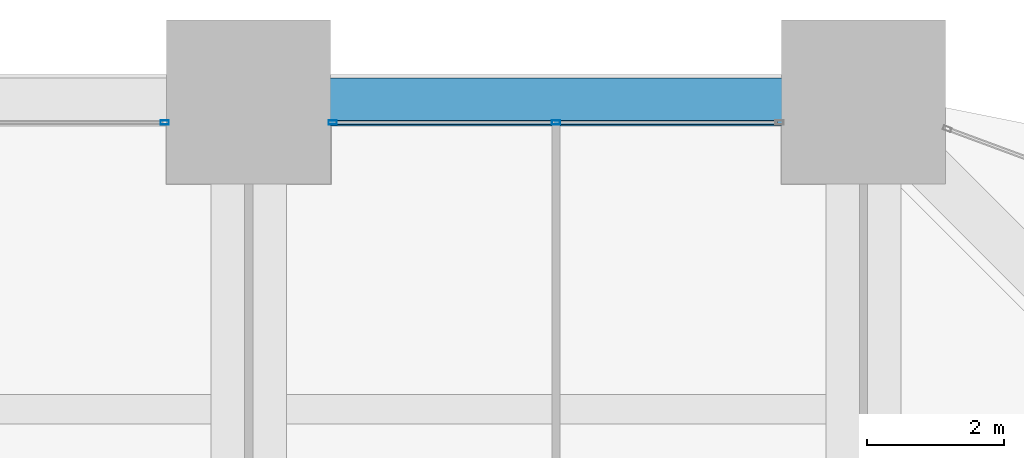
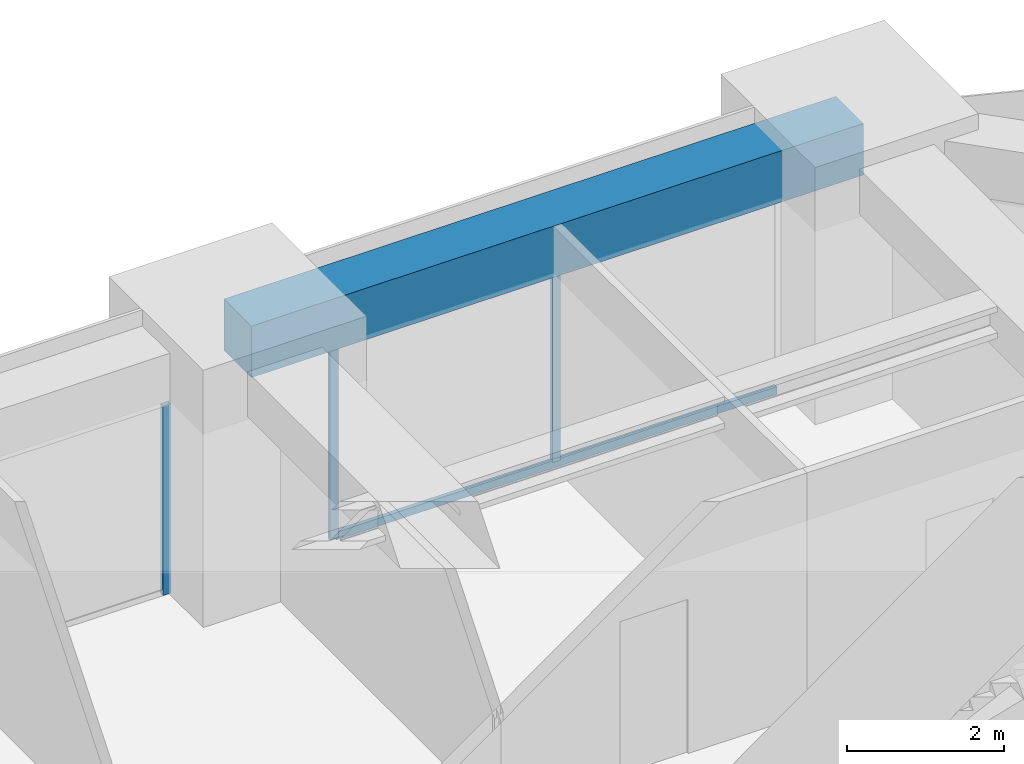
# One storey, part 36 of 45: 4 members, 1 beam, 2 elements without a shape of their own.
"""IFC4 building model written with IfcOpenShell, lengths in metres."""

from ifc_helpers import new_model, si_unit, direction, frame, origin, origin_2d, place, context, subcontext, project, spatial, rectangle, hollow_rectangle, extrude, material, material_profile, profile_set, type_object, element, aggregate, save


model = new_model("IFC4")

# Units and contexts
model_context = context("Model", 3, precision=1e-05, world=origin(), true_north=direction((0.0, 1.0)))
body_context = subcontext(model_context, "Body", "Model", "MODEL_VIEW")
ifc_project = project(units=[si_unit("LENGTHUNIT", "METRE"), si_unit("AREAUNIT", "SQUARE_METRE"), si_unit("VOLUMEUNIT", "CUBIC_METRE"), si_unit("PLANEANGLEUNIT", "RADIAN"), si_unit("MASSUNIT", "GRAM", prefix="KILO")], contexts=[model_context])

# Site, building, storey
site_placement = place(None, origin())
site = spatial("IfcSite", under=ifc_project, at=site_placement, CompositionType="ELEMENT")
building_placement = place(site_placement, origin())
building = spatial("IfcBuilding", under=site, at=building_placement, Name="Zorevar Civic Tower", CompositionType="ELEMENT")
storey_placement = place(building_placement, frame((0.0, 0.0, 247.39990234375)))
storey = spatial("IfcBuildingStorey", under=building, at=storey_placement, Name="L60", CompositionType="ELEMENT", Elevation=247.39990234375)

# Curtain wall, member
ifc_material_1 = material(Name="Dark grey solar-control glass in black aluminium frame", Category="aluminium")
curtain_wall_type = type_object("IfcCurtainWallType", Name="Curtain wall CW5 top zone", PredefinedType="NOTDEFINED", material=ifc_material_1)
curtain_wall_1_placement = place(storey_placement, origin())
curtain_wall_1 = element("IfcCurtainWall", 1, at=curtain_wall_1_placement, inside=storey, type_object=curtain_wall_type, Name="CW5 L60", PredefinedType="NOTDEFINED")
ifc_material_2 = material(Name="Aluminium, black anodised", Category="aluminium")
ifc_material_profile_1 = material_profile(ifc_material_2, hollow_rectangle(XDim=0.06005859375, YDim=0.1201171875, WallThickness=0.0029296875, at=origin_2d()), Name="AL 120x60x3")
ifc_profile_set_1 = profile_set([ifc_material_profile_1], Name="Aluminium, black anodised")
member_type_1 = type_object("IfcMemberType", Name="CW5 mullion AL 120x60x3", PredefinedType="MULLION", material=ifc_profile_set_1)
member_1_placement = place(storey_placement, frame((34.77001953125, 44.699951171875, 0.0), z_axis=(0.0, 0.0, 1.0), x_axis=(0.0, 1.0, 0.0)))
member_1 = element("IfcMember", 2, at=member_1_placement, type_object=member_type_1, Name="CW5 mullion 3", PredefinedType="MULLION", context=body_context, shape_type="SweptSolid", body=[
    extrude(hollow_rectangle(XDim=0.06005859375, YDim=0.1201171875, WallThickness=0.0029296875, at=origin_2d()), origin(), (0.0, 0.0, 1.0), 2.9501953125),
])
aggregate(curtain_wall_1, [member_1])

# Curtain wall, members
curtain_wall_2_placement = place(storey_placement, origin())
curtain_wall_2 = element("IfcCurtainWall", 3, at=curtain_wall_2_placement, inside=storey, type_object=curtain_wall_type, Name="CW5 L60", PredefinedType="NOTDEFINED")
member_2_placement = place(storey_placement, frame((37.22998046875, 44.699951171875, 0.0), z_axis=(0.0, 0.0, 1.0), x_axis=(0.0, 1.0, 0.0)))
member_2 = element("IfcMember", 4, at=member_2_placement, type_object=member_type_1, Name="CW5 mullion 1", PredefinedType="MULLION", context=body_context, shape_type="SweptSolid", body=[
    extrude(hollow_rectangle(XDim=0.06005859375, YDim=0.1201171875, WallThickness=0.0029296875, at=origin_2d()), origin(), (0.0, 0.0, 1.0), 2.9501953125),
])
member_3_placement = place(storey_placement, frame((40.5, 44.699951171875, 0.06005859375), z_axis=(0.0, 0.0, 1.0), x_axis=(0.0, 1.0, 0.0)))
member_3 = element("IfcMember", 5, at=member_3_placement, type_object=member_type_1, Name="CW5 mullion 2", PredefinedType="MULLION", context=body_context, shape_type="SweptSolid", body=[
    extrude(hollow_rectangle(XDim=0.06005859375, YDim=0.1201171875, WallThickness=0.0029296875, at=origin_2d()), origin(), (0.0, 0.0, 1.0), 2.89013671875),
])
ifc_material_3 = material(Name="Aluminium, black anodised", Category="aluminium")
ifc_material_profile_2 = material_profile(ifc_material_3, hollow_rectangle(XDim=0.06005859375, YDim=0.1201171875, WallThickness=0.0029296875, at=origin_2d()), Name="AL 120x60x3")
ifc_profile_set_2 = profile_set([ifc_material_profile_2], Name="Aluminium, black anodised")
member_type_2 = type_object("IfcMemberType", Name="CW5 transom AL 120x60x3", PredefinedType="USERDEFINED", material=ifc_profile_set_2)
member_4_placement = place(storey_placement, frame((37.260009765625, 44.699951171875, 0.030029296875), z_axis=(1.0, 0.0, 0.0), x_axis=(0.0, 1.0, 0.0)))
member_4 = element("IfcMember", 6, at=member_4_placement, type_object=member_type_2, Name="CW5 sill transom", ObjectType="TRANSOM", PredefinedType="USERDEFINED", context=body_context, shape_type="SweptSolid", body=[
    extrude(hollow_rectangle(XDim=0.06005859375, YDim=0.1201171875, WallThickness=0.0029296875, at=origin_2d()), origin(), (0.0, 0.0, 1.0), 6.47998046875),
])
aggregate(curtain_wall_2, [member_2, member_3, member_4])

# Beam
ifc_material_4 = material(Name="Concrete C50/60", Category="concrete")
ifc_material_profile_3 = material_profile(ifc_material_4, rectangle(XDim=0.699951171875, YDim=0.800048828125, at=origin_2d()), Name="RC 700x800")
ifc_profile_set_3 = profile_set([ifc_material_profile_3], Name="Concrete C50/60")
beam_type = type_object("IfcBeamType", Name="Edge beam RC 700x800", PredefinedType="SPANDREL", material=ifc_profile_set_3)
beam_placement = place(storey_placement, frame((36.0, 45.0, 3.35009765625), z_axis=(1.0, 0.0, 0.0), x_axis=(0.0, 1.0, 0.0)))
element("IfcBeam", 7, at=beam_placement, inside=storey, type_object=beam_type, Name="Edge beam L61", PredefinedType="SPANDREL", context=body_context, shape_type="SweptSolid", body=[
    extrude(rectangle(XDim=0.699951171875, YDim=0.800048828125, at=origin_2d()), origin(), (0.0, 0.0, 1.0), 9.0),
])

save(model, "model.ifc")
